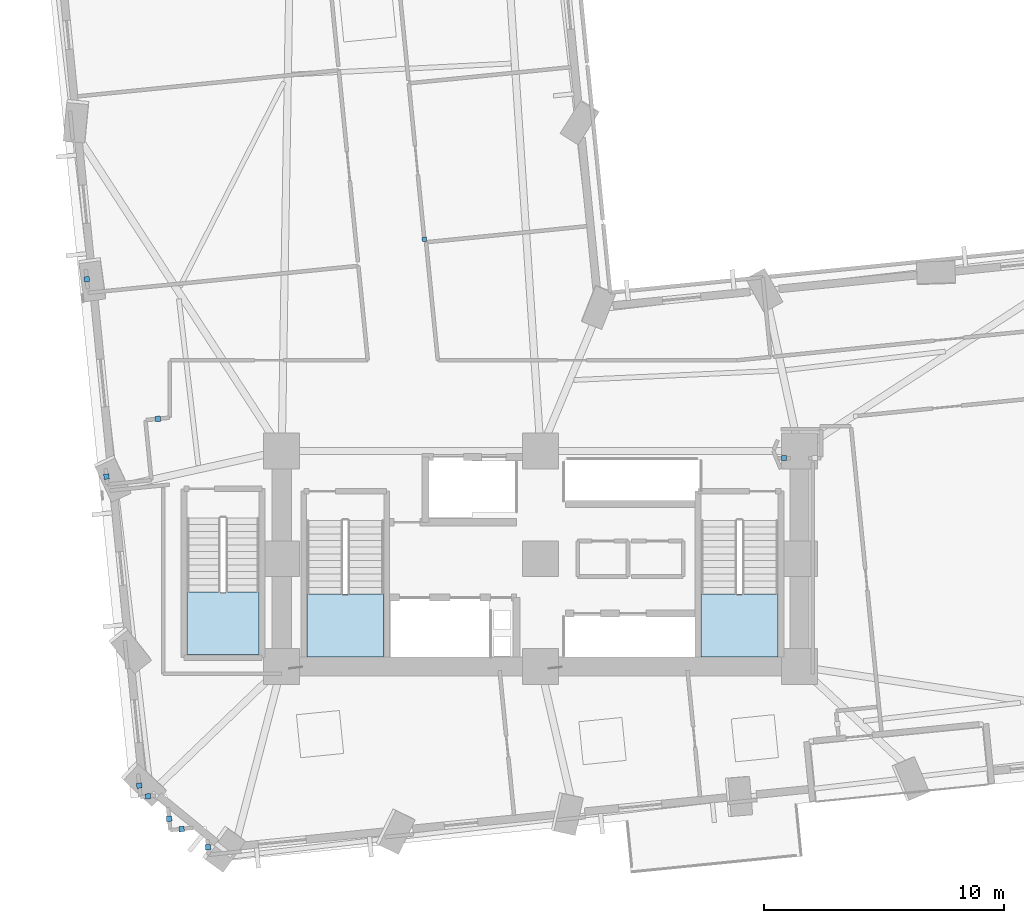
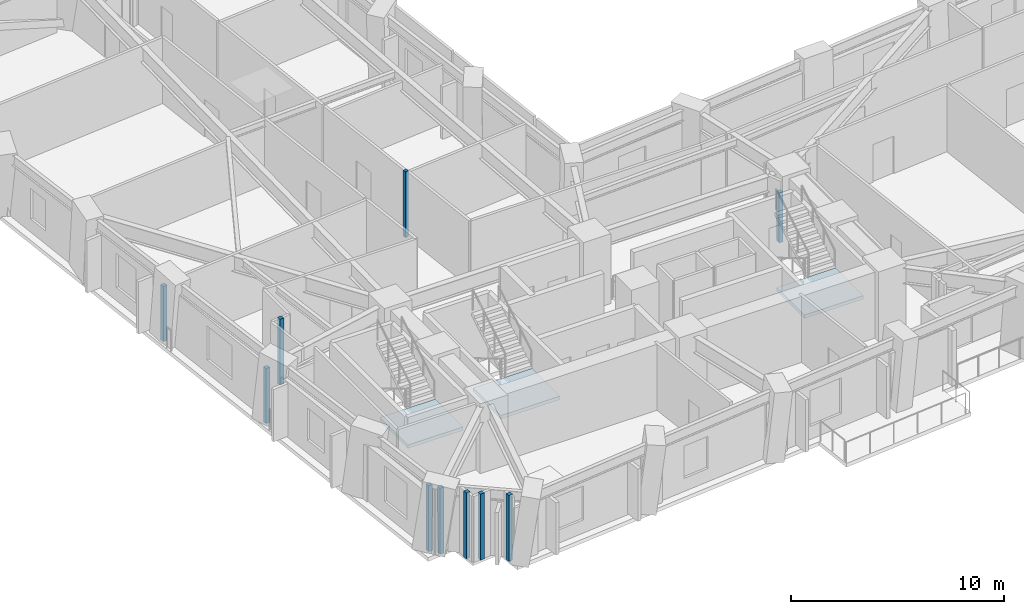
# One storey, part 3 of 16: 10 plates, 3 slabs, 3 elements without a shape of their own.
"""IFC4 building model written with IfcOpenShell, lengths in metres."""

from ifc_helpers import new_model, si_unit, direction, frame, origin, origin_2d, place, context, subcontext, project, spatial, polyline, rectangle, outline, extrude, material, layer, layer_set, type_object, element, aggregate, save


model = new_model("IFC4")

# Units and contexts
model_context = context("Model", 3, precision=1e-05, world=origin(), true_north=direction((0.0, 1.0)))
body_context = subcontext(model_context, "Body", "Model", "MODEL_VIEW")
ifc_project = project(units=[si_unit("LENGTHUNIT", "METRE"), si_unit("AREAUNIT", "SQUARE_METRE"), si_unit("VOLUMEUNIT", "CUBIC_METRE"), si_unit("PLANEANGLEUNIT", "RADIAN"), si_unit("MASSUNIT", "GRAM", prefix="KILO")], contexts=[model_context])

# Site, building, storey
site_placement = place(None, origin())
site = spatial("IfcSite", under=ifc_project, at=site_placement, CompositionType="ELEMENT")
building_placement = place(site_placement, origin())
building = spatial("IfcBuilding", under=site, at=building_placement, Name="Gaonmaruhae Medical Tower", CompositionType="ELEMENT")
storey_placement = place(building_placement, frame((0.0, 0.0, 47.0)))
storey = spatial("IfcBuildingStorey", under=building, at=storey_placement, Name="L10", CompositionType="ELEMENT", Elevation=47.0)

# Plates
ifc_material_1 = material(Name="Anodised aluminium 6063-T6", Category="aluminium")
ifc_layer_1 = layer(ifc_material_1, 0.011962890625)
ifc_layer_set_1 = layer_set([ifc_layer_1], Name="Anodised aluminium 6063-T6")
plate_type = type_object("IfcPlateType", Name="PP-01 Interior Partition Corner Stiffener Plate", PredefinedType="SHEET", material=ifc_layer_set_1)
plate_1_placement = place(storey_placement, frame((19.949951171875, 25.62841796875, 0.0), z_axis=(0.0, 0.0, 1.0), x_axis=(-0.099232914386, 0.995064233456, 0.0)))
element("IfcPlate", 1, at=plate_1_placement, inside=storey, type_object=plate_type, Name="L10 Partition End Jamb Post Plate PLT-L10-ENDP-PW084-0", PredefinedType="SHEET", context=body_context, shape_type="SweptSolid", body=[
    extrude(rectangle(XDim=0.179931640625, YDim=0.179931640625, at=origin_2d()), origin(), (0.0, 0.0, 1.0), 3.780029296875),
])
for number, where, z_axis, x_axis, name in (
    (2, (10.924560546875, 0.26611328125, 0.0), (0.0, 0.0, 1.0), (-0.098572941018, 0.995129828364, 0.0), "L10 Partition Corner Stiffener Plate PLT-L10-JGP-PW013"),
    (3, (9.823974609375, 1.0205078125, 0.0), (0.0, 0.0, 1.0), (-0.995078079285, -0.099093976242, 0.0), "L10 Partition Corner Stiffener Plate PLT-L10-JGP-PW014"),
    (4, (9.299560546875, 1.449951171875, 0.0), (0.0, 0.0, 1.0), (-0.099093976242, 0.995078079285, 0.0), "L10 Partition Corner Stiffener Plate PLT-L10-JGP-PW015"),
    (5, (8.4208984375, 2.388427734375, 0.0), (0.0, 0.0, 1.0), (-0.995129828364, -0.098572941018, 0.0), "L10 Partition Corner Stiffener Plate PLT-L10-JGP-PW016"),
    (6, (8.055419921875, 2.83447265625, 0.0), (0.0, 0.0, 1.0), (-0.098989771366, 0.995088450925, 0.0), "L10 Partition Corner Stiffener Plate PLT-L10-JGP-PW017"),
):
    element("IfcPlate", number, at=place(storey_placement, frame(where, z_axis=z_axis, x_axis=x_axis)), inside=storey, type_object=plate_type, Name=name, PredefinedType="SHEET", context=body_context, shape_type="SweptSolid", body=[
        extrude(rectangle(XDim=0.219970703125, YDim=0.219970703125, at=origin_2d()), origin(), (0.0, 0.0, 1.0), 3.780029296875),
    ])
plate_2_placement = place(storey_placement, frame((34.96240234375, 16.5, 0.0), z_axis=(0.0, 0.0, 1.0), x_axis=(1.0, 0.0, 0.0)))
element("IfcPlate", 7, at=plate_2_placement, inside=storey, type_object=plate_type, Name="L10 Partition Corner Stiffener Plate PLT-L10-JGP-PW026", PredefinedType="SHEET", context=body_context, shape_type="SweptSolid", body=[
    extrude(rectangle(XDim=0.219970703125, YDim=0.219970703125, at=origin_2d()), origin(), (0.0, 0.0, 1.0), 2.864990234375),
])
plate_3_placement = place(storey_placement, frame((8.8310546875, 18.136962890625, 0.0), z_axis=(0.0, 0.0, 1.0), x_axis=(-0.995017360563, -0.099701816323, 0.0)))
element("IfcPlate", 8, at=plate_3_placement, inside=storey, type_object=plate_type, Name="L10 Partition Corner Stiffener Plate PLT-L10-JGP-PW046", PredefinedType="SHEET", context=body_context, shape_type="SweptSolid", body=[
    extrude(rectangle(XDim=0.219970703125, YDim=0.219970703125, at=origin_2d()), origin(), (0.0, 0.0, 1.0), 3.780029296875),
])
for number, where, z_axis, x_axis, name in (
    (9, (6.68798828125, 15.7265625, 0.0), (0.0, 0.0, 1.0), (-0.098763990412, 0.995110885378, 0.0), "L10 Partition Corner Stiffener Plate PLT-L10-JGP-PW049"),
    (10, (5.865966796875, 23.9609375, 0.0), (0.0, 0.0, 1.0), (-0.099979673697, 0.994989479767, 0.0), "L10 Partition Corner Stiffener Plate PLT-L10-JGP-PW055"),
):
    element("IfcPlate", number, at=place(storey_placement, frame(where, z_axis=z_axis, x_axis=x_axis)), inside=storey, type_object=plate_type, Name=name, PredefinedType="SHEET", context=body_context, shape_type="SweptSolid", body=[
        extrude(rectangle(XDim=0.219970703125, YDim=0.219970703125, at=origin_2d()), origin(), (0.0, 0.0, 1.0), 3.1650390625),
    ])

# Stair, slab
ifc_material_2 = material(Name="Concrete C40/50", Category="concrete")
stair_type_1 = type_object("IfcStairType", Name="ST-T1 Primary Core Escape Dogleg Stair", PredefinedType="TWO_QUARTER_TURN_STAIR", material=ifc_material_2)
stair_1_placement = place(storey_placement, origin())
stair_1 = element("IfcStair", 11, at=stair_1_placement, inside=storey, type_object=stair_type_1, Name="L10 Protected Escape Stair ST-01", PredefinedType="TWO_QUARTER_TURN_STAIR")
ifc_layer_2 = layer(ifc_material_2, 0.199951171875)
ifc_layer_set_2 = layer_set([ifc_layer_2], Name="Concrete C40/50")
slab_type = type_object("IfcSlabType", Name="SL-200 Stair & Ramp Intermediate Concrete Landing", PredefinedType="LANDING", material=ifc_layer_set_2)
slab_1_placement = place(storey_placement, frame((0.0, 0.0, 1.800048828125)))
slab_1 = element("IfcSlab", 12, at=slab_1_placement, type_object=slab_type, Name="ST-01 landing 1", PredefinedType="LANDING", context=body_context, shape_type="SweptSolid", body=[
    extrude(outline(polyline([(15.050048828125, 10.820068359375), (15.050048828125, 8.2041015625), (18.25, 8.2041015625), (18.25, 10.820068359375), (15.050048828125, 10.820068359375)])), origin(), (0.0, 0.0, 1.0), 0.199951171875),
])
aggregate(stair_1, [slab_1])

stair_2_placement = place(storey_placement, origin())
stair_2 = element("IfcStair", 13, at=stair_2_placement, inside=storey, type_object=stair_type_1, Name="L10 Protected Escape Stair ST-02", PredefinedType="TWO_QUARTER_TURN_STAIR")
slab_2_placement = place(storey_placement, frame((0.0, 0.0, 1.800048828125)))
slab_2 = element("IfcSlab", 14, at=slab_2_placement, type_object=slab_type, Name="ST-02 landing 1", PredefinedType="LANDING", context=body_context, shape_type="SweptSolid", body=[
    extrude(outline(polyline([(31.5, 10.820068359375), (31.5, 8.2041015625), (34.699951171875, 8.2041015625), (34.699951171875, 10.820068359375), (31.5, 10.820068359375)])), origin(), (0.0, 0.0, 1.0), 0.199951171875),
])
aggregate(stair_2, [slab_2])

stair_type_2 = type_object("IfcStairType", Name="ST-T2 Zone 1 Escape Dogleg Stair", PredefinedType="TWO_QUARTER_TURN_STAIR", material=ifc_material_2)
stair_3_placement = place(storey_placement, origin())
stair_3 = element("IfcStair", 15, at=stair_3_placement, inside=storey, type_object=stair_type_2, Name="L10 Protected Escape Stair ST-03", PredefinedType="TWO_QUARTER_TURN_STAIR")
slab_3_placement = place(storey_placement, frame((0.0, 0.0, 1.800048828125)))
slab_3 = element("IfcSlab", 16, at=slab_3_placement, type_object=slab_type, Name="ST-03 landing 1", PredefinedType="LANDING", context=body_context, shape_type="SweptSolid", body=[
    extrude(outline(polyline([(10.050048828125, 10.919921875), (10.050048828125, 8.300048828125), (13.050048828125, 8.300048828125), (13.050048828125, 10.919921875), (10.050048828125, 10.919921875)])), origin(), (0.0, 0.0, 1.0), 0.199951171875),
])
aggregate(stair_3, [slab_3])

save(model, "model.ifc")
